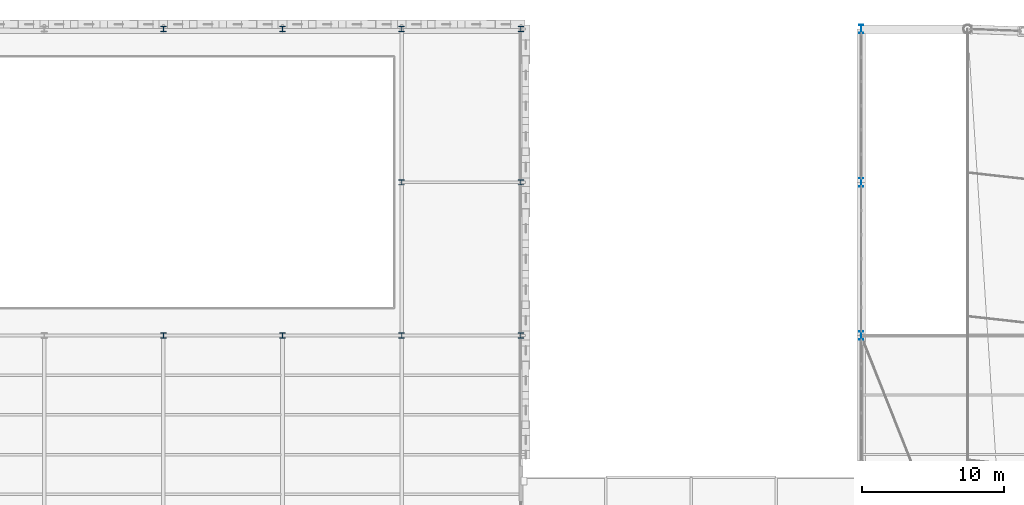
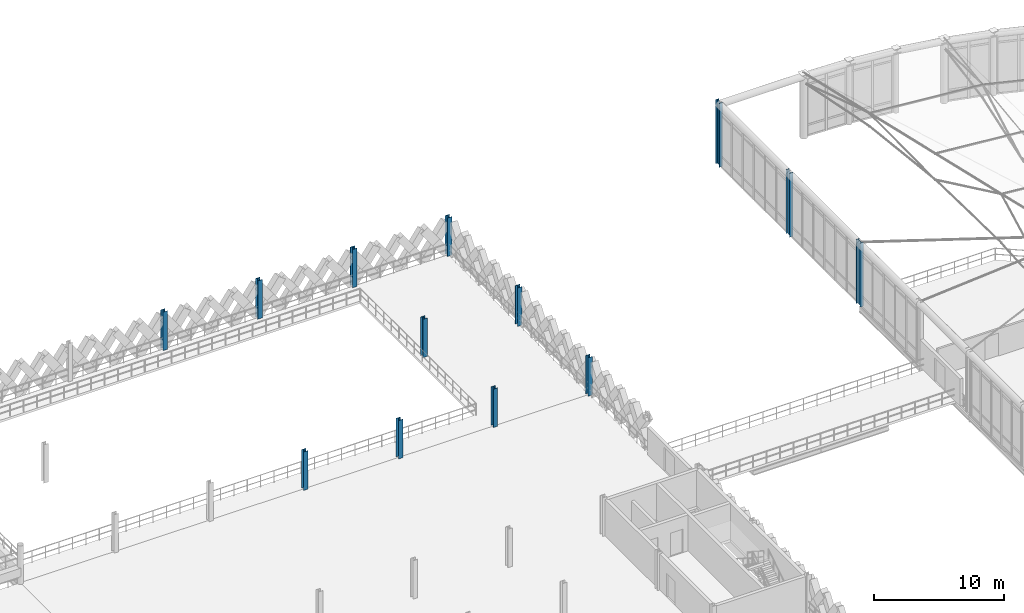
# One storey, part 15 of 101: 13 columns.
"""IFC4 building model written with IfcOpenShell, lengths in metres."""

from ifc_helpers import new_model, si_unit, direction, frame, origin, origin_2d, place, context, subcontext, project, spatial, i_section, extrude, material, material_profile, profile_set, type_object, element, save


model = new_model("IFC4")

# Units and contexts
model_context = context("Model", 3, precision=1e-05, world=origin(), true_north=direction((0.0, 1.0)))
body_context = subcontext(model_context, "Body", "Model", "MODEL_VIEW")
ifc_project = project(units=[si_unit("LENGTHUNIT", "METRE"), si_unit("AREAUNIT", "SQUARE_METRE"), si_unit("VOLUMEUNIT", "CUBIC_METRE"), si_unit("PLANEANGLEUNIT", "RADIAN"), si_unit("MASSUNIT", "GRAM", prefix="KILO"), si_unit("THERMODYNAMICTEMPERATUREUNIT", "KELVIN"), si_unit("POWERUNIT", "WATT")], contexts=[model_context])

# Site, building, storey
site_placement = place(None, origin())
site = spatial("IfcSite", under=ifc_project, at=site_placement, CompositionType="ELEMENT")
building_placement = place(site_placement, origin())
building = spatial("IfcBuilding", under=site, at=building_placement, Name="Tembeka Court Mobility Hub", CompositionType="ELEMENT")
storey_placement = place(building_placement, frame((0.0, 0.0, 5.39990234375)))
storey = spatial("IfcBuildingStorey", under=building, at=storey_placement, Name="L01", CompositionType="ELEMENT", Elevation=5.39990234375)

# Columns
ifc_material = material(Name="Steel S355", Category="steel")
ifc_material_profile_1 = material_profile(ifc_material, i_section(OverallWidth=0.39501953125, OverallDepth=0.381103515625, WebThickness=0.018310546875, FlangeThickness=0.0302734375, FilletRadius=0.01513671875, at=origin_2d()), Name="UKC 356x406x235")
ifc_profile_set_1 = profile_set([ifc_material_profile_1], Name="Steel S355")
column_type_1 = type_object("IfcColumnType", Name="COL-C02", PredefinedType="COLUMN", material=ifc_profile_set_1)
for number, where, z_axis, x_axis, name in (
    (1, (67.199951171875, 97.199951171875, 0.0), (0.0, 0.0, 1.0), (1.0, 0.0, 0.0), "Column C02 (L01-101)"),
    (2, (67.199951171875, 118.800048828125, 0.0), (0.0, 0.0, 1.0), (1.0, 0.0, 0.0), "Column C02 (L01-102)"),
    (3, (75.60009765625, 97.199951171875, 0.0), (0.0, 0.0, 1.0), (1.0, 0.0, 0.0), "Column C02 (L01-111)"),
    (4, (75.60009765625, 118.800048828125, 0.0), (0.0, 0.0, 1.0), (1.0, 0.0, 0.0), "Column C02 (L01-112)"),
    (5, (84.0, 97.199951171875, 0.0), (0.0, 0.0, 1.0), (1.0, 0.0, 0.0), "Column C02 (L01-122)"),
    (6, (84.0, 108.0, 0.0), (0.0, 0.0, 1.0), (1.0, 0.0, 0.0), "Column C02 (L01-123)"),
    (7, (84.0, 118.800048828125, 0.0), (0.0, 0.0, 1.0), (1.0, 0.0, 0.0), "Column C02 (L01-124)"),
    (8, (92.39990234375, 97.199951171875, 0.0), (0.0, 0.0, 1.0), (1.0, 0.0, 0.0), "Column C02 (L01-134)"),
    (9, (92.39990234375, 108.0, 0.0), (0.0, 0.0, 1.0), (1.0, 0.0, 0.0), "Column C02 (L01-135)"),
    (10, (92.39990234375, 118.800048828125, 0.0), (0.0, 0.0, 1.0), (1.0, 0.0, 0.0), "Column C02 (L01-136)"),
):
    element("IfcColumn", number, at=place(storey_placement, frame(where, z_axis=z_axis, x_axis=x_axis)), inside=storey, type_object=column_type_1, Name=name, PredefinedType="COLUMN", context=body_context, shape_type="SweptSolid", body=[
        extrude(i_section(OverallWidth=0.39501953125, OverallDepth=0.381103515625, WebThickness=0.018310546875, FlangeThickness=0.0302734375, FilletRadius=0.01513671875, at=origin_2d()), origin(), (0.0, 0.0, 1.0), 3.60009765625),
    ])
ifc_material_profile_2 = material_profile(ifc_material, i_section(OverallWidth=0.300048828125, OverallDepth=0.60009765625, WebThickness=0.015380859375, FlangeThickness=0.030029296875, FilletRadius=0.027099609375, at=origin_2d()), Name="HEB 600")
ifc_profile_set_2 = profile_set([ifc_material_profile_2], Name="Steel S355")
column_type_2 = type_object("IfcColumnType", Name="COL-C06", PredefinedType="COLUMN", material=ifc_profile_set_2)
for number, where, z_axis, x_axis, name in (
    (11, (116.39990234375, 97.199951171875, 0.0), (0.0, 0.0, 1.0), (1.0, 0.0, 0.0), "Column C06 (L01-166)"),
    (12, (116.39990234375, 108.0, 0.0), (0.0, 0.0, 1.0), (1.0, 0.0, 0.0), "Column C06 (L01-167)"),
    (13, (116.39990234375, 118.800048828125, 0.0), (0.0, 0.0, 1.0), (1.0, 0.0, 0.0), "Column C06 (L01-168)"),
):
    element("IfcColumn", number, at=place(storey_placement, frame(where, z_axis=z_axis, x_axis=x_axis)), inside=storey, type_object=column_type_2, Name=name, PredefinedType="COLUMN", context=body_context, shape_type="SweptSolid", body=[
        extrude(i_section(OverallWidth=0.300048828125, OverallDepth=0.60009765625, WebThickness=0.015380859375, FlangeThickness=0.030029296875, FilletRadius=0.027099609375, at=origin_2d()), origin(), (0.0, 0.0, 1.0), 6.0),
    ])

save(model, "model.ifc")
